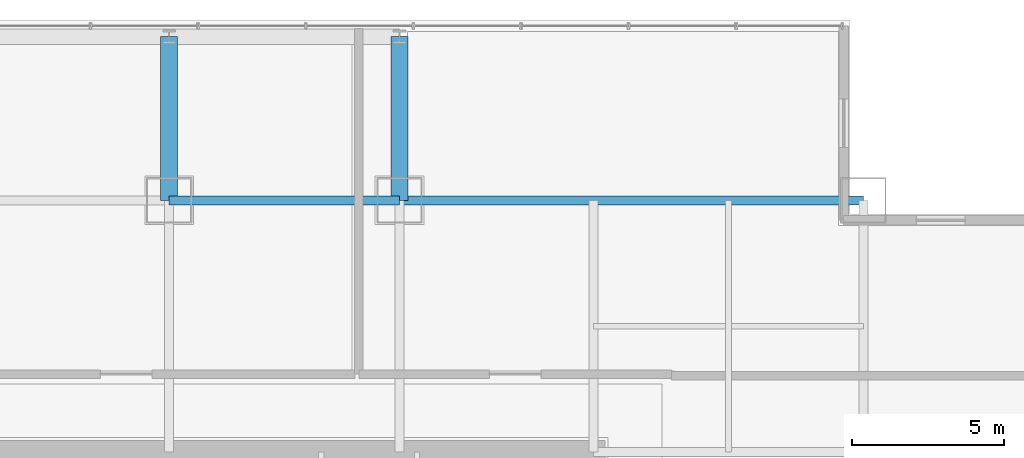
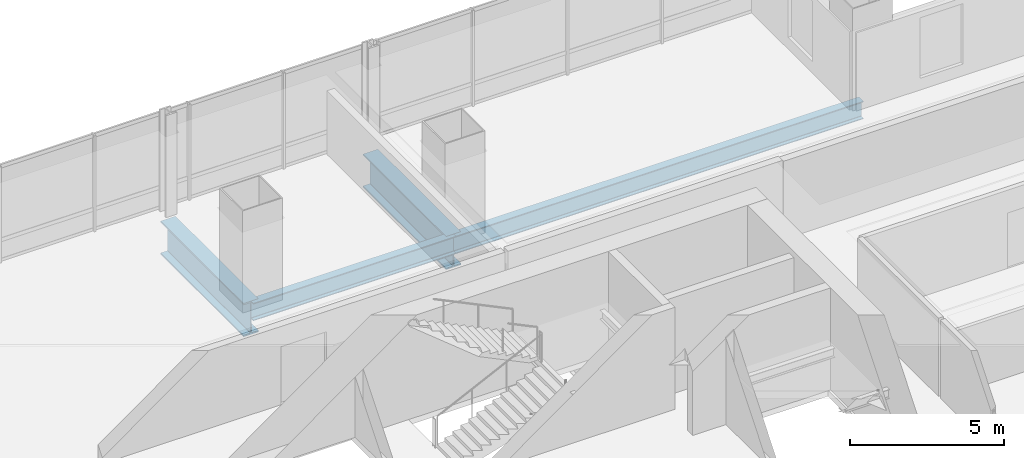
# One storey, part 21 of 35: 4 beams.
"""IFC4 building model written with IfcOpenShell, lengths in metres."""

from ifc_helpers import new_model, si_unit, direction, frame, origin, origin_2d, place, context, subcontext, project, spatial, i_section, extrude, material, material_profile, profile_set, type_object, element, save


model = new_model("IFC4")

# Units and contexts
model_context = context("Model", 3, precision=1e-05, world=origin(), true_north=direction((0.0, 1.0)))
body_context = subcontext(model_context, "Body", "Model", "MODEL_VIEW")
ifc_project = project(units=[si_unit("LENGTHUNIT", "METRE"), si_unit("AREAUNIT", "SQUARE_METRE"), si_unit("VOLUMEUNIT", "CUBIC_METRE"), si_unit("PLANEANGLEUNIT", "RADIAN"), si_unit("MASSUNIT", "GRAM", prefix="KILO")], contexts=[model_context])

# Site, building, storey
site_placement = place(None, origin())
site = spatial("IfcSite", under=ifc_project, at=site_placement, CompositionType="ELEMENT")
building_placement = place(site_placement, origin())
building = spatial("IfcBuilding", under=site, at=building_placement, Name="Punatoya Terracotta Tower", CompositionType="ELEMENT")
storey_placement = place(building_placement, frame((0.0, 0.0, 113.25)))
storey = spatial("IfcBuildingStorey", under=building, at=storey_placement, Name="L26", CompositionType="ELEMENT", Elevation=113.25)

# Beams
ifc_material_1 = material(Name="Steel S355", Category="steel")
ifc_material_profile_1 = material_profile(ifc_material_1, i_section(OverallWidth=0.300048828125, OverallDepth=0.699951171875, WebThickness=0.01708984375, FlangeThickness=0.031982421875, FilletRadius=0.01806640625, at=origin_2d()))
ifc_profile_set_1 = profile_set([ifc_material_profile_1], Name="Steel S355")
beam_type_1 = type_object("IfcBeamType", Name="BM-PRI-700", PredefinedType="BEAM", material=ifc_profile_set_1)
beam_1_placement = place(storey_placement, frame((-3.800048828125, 17.5, -0.590087890625), z_axis=(1.0, 0.0, 0.0), x_axis=(0.0, 1.0, 0.0)))
element("IfcBeam", 1, at=beam_1_placement, inside=storey, type_object=beam_type_1, Name="BM-L26-RG-N2", PredefinedType="BEAM", context=body_context, shape_type="SweptSolid", body=[
    extrude(i_section(OverallWidth=0.300048828125, OverallDepth=0.699951171875, WebThickness=0.01708984375, FlangeThickness=0.031982421875, FilletRadius=0.01806640625, at=origin_2d()), origin(), (0.0, 0.0, 1.0), 7.60009765625),
])
beam_2_placement = place(storey_placement, frame((3.800048828125, 17.5, -0.590087890625), z_axis=(1.0, 0.0, 0.0), x_axis=(0.0, 1.0, 0.0)))
element("IfcBeam", 2, at=beam_2_placement, inside=storey, type_object=beam_type_1, Name="BM-L26-RG-N3", PredefinedType="BEAM", context=body_context, shape_type="SweptSolid", body=[
    extrude(i_section(OverallWidth=0.300048828125, OverallDepth=0.699951171875, WebThickness=0.01708984375, FlangeThickness=0.031982421875, FilletRadius=0.01806640625, at=origin_2d()), origin(), (0.0, 0.0, 1.0), 15.300048828125),
])
ifc_material_2 = material(Name="Steel S460", Category="steel")
ifc_material_profile_2 = material_profile(ifc_material_2, i_section(OverallWidth=0.56005859375, OverallDepth=1.320068359375, WebThickness=0.035888671875, FlangeThickness=0.054931640625, FilletRadius=0.01806640625, at=origin_2d()))
ifc_profile_set_2 = profile_set([ifc_material_profile_2], Name="Steel S460")
beam_type_2 = type_object("IfcBeamType", Name="BM-TG-BLK", PredefinedType="BEAM", material=ifc_profile_set_2)
for number, where, z_axis, x_axis, name in (
    (3, (-3.800048828125, 17.5, -0.89990234375), (0.0, 1.0, 0.0), (-1.0, 0.0, 0.0), "BM-L26-CANT-N2"),
    (4, (3.800048828125, 17.5, -0.89990234375), (0.0, 1.0, 0.0), (-1.0, 0.0, 0.0), "BM-L26-CANT-N3"),
):
    element("IfcBeam", number, at=place(storey_placement, frame(where, z_axis=z_axis, x_axis=x_axis)), inside=storey, type_object=beam_type_2, Name=name, PredefinedType="BEAM", context=body_context, shape_type="SweptSolid", body=[
        extrude(i_section(OverallWidth=0.56005859375, OverallDepth=1.320068359375, WebThickness=0.035888671875, FlangeThickness=0.054931640625, FilletRadius=0.01806640625, at=origin_2d()), origin(), (0.0, 0.0, 1.0), 5.39990234375),
    ])

save(model, "model.ifc")
